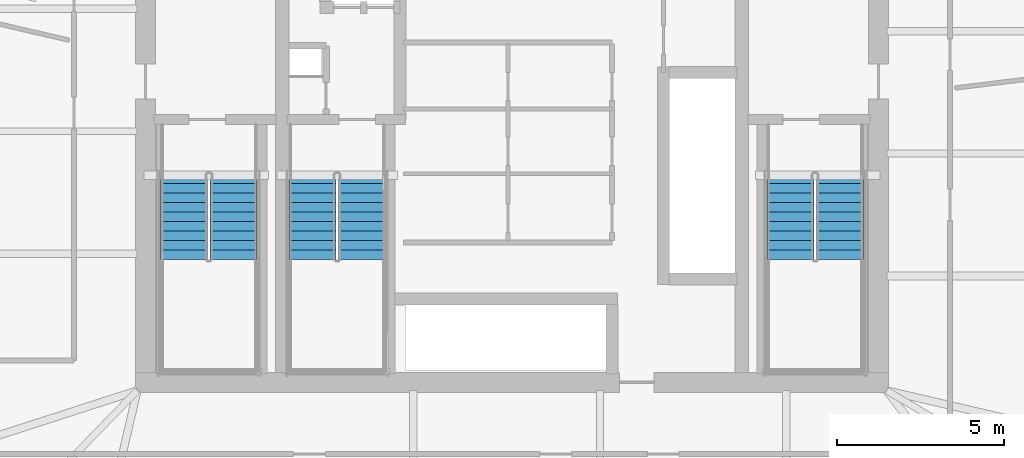
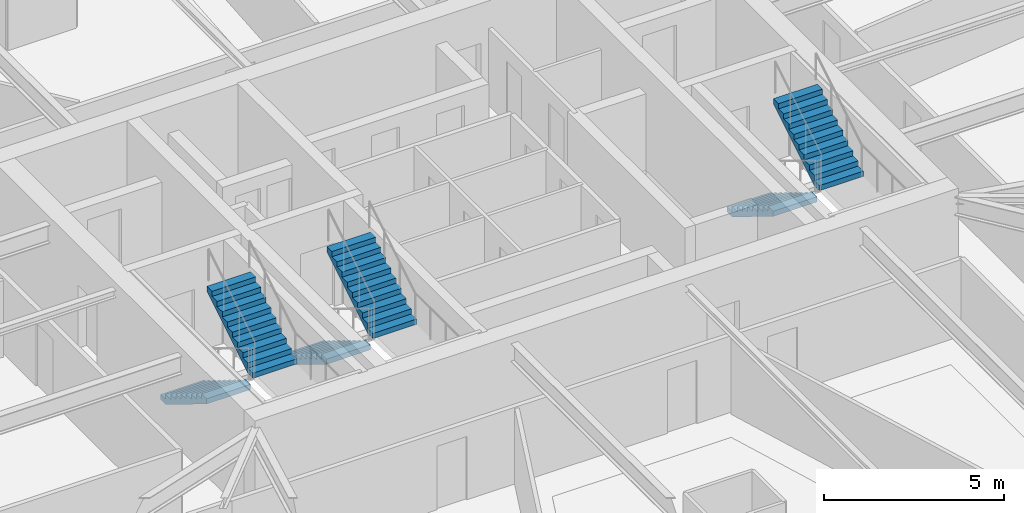
# One storey, part 19 of 23: 6 stair flights, 3 elements without a shape of their own.
"""IFC4 building model written with IfcOpenShell, lengths in metres."""

from ifc_helpers import new_model, si_unit, direction, frame, origin, place, context, subcontext, project, spatial, polyline, outline, extrude, material, type_object, element, aggregate, save


model = new_model("IFC4")

# Units and contexts
model_context = context("Model", 3, precision=1e-05, world=origin(), true_north=direction((0.0, 1.0)))
body_context = subcontext(model_context, "Body", "Model", "MODEL_VIEW")
ifc_project = project(units=[si_unit("LENGTHUNIT", "METRE"), si_unit("AREAUNIT", "SQUARE_METRE"), si_unit("VOLUMEUNIT", "CUBIC_METRE"), si_unit("PLANEANGLEUNIT", "RADIAN"), si_unit("MASSUNIT", "GRAM", prefix="KILO")], contexts=[model_context])

# Site, building, storey
site_placement = place(None, origin())
site = spatial("IfcSite", under=ifc_project, at=site_placement, CompositionType="ELEMENT")
building_placement = place(site_placement, origin())
building = spatial("IfcBuilding", under=site, at=building_placement, Name="Bramvorn Convention Spire", CompositionType="ELEMENT")
storey_placement = place(building_placement, frame((0.0, 0.0, 65.89990234375)))
storey = spatial("IfcBuildingStorey", under=building, at=storey_placement, Name="L14", CompositionType="ELEMENT", Elevation=65.89990234375)

# Stair, stair flights
ifc_material_1 = material(Name="Concrete C40/50 Precast Stair", Category="concrete")
stair_type = type_object("IfcStairType", Name="ST-TOWER-1550", PredefinedType="HALF_TURN_STAIR", material=ifc_material_1)
stair_1_placement = place(storey_placement, origin())
stair_1 = element("IfcStair", 1, at=stair_1_placement, inside=storey, type_object=stair_type, Name="L14 Protected Exit Stair ST1", PredefinedType="HALF_TURN_STAIR")
ifc_material_2 = material(Name="Concrete C40/50 Precast Stair Flight", Category="concrete")
stair_flight_type = type_object("IfcStairFlightType", Name="STF-TOWER-1550", PredefinedType="STRAIGHT", material=ifc_material_2)
stair_flight_1_placement = place(storey_placement, frame((28.155029296875, 25.050048828125, 0.0), z_axis=(0.0, 0.0, 1.0), x_axis=(0.0, -1.0, 0.0)))
stair_flight_1 = element("IfcStairFlight", 2, at=stair_flight_1_placement, type_object=stair_flight_type, Name="ST1 flight 1", NumberOfRisers=10, NumberOfTreads=9, PredefinedType="STRAIGHT", RiserHeight=0.175, TreadLength=0.285, context=body_context, shape_type="SweptSolid", body=[
    extrude(outline(polyline([(0.0, 0.0), (0.0, 0.175048828125), (0.284912109375, 0.175048828125), (0.284912109375, 0.35009765625), (0.570068359375, 0.35009765625), (0.570068359375, 0.52490234375), (0.85498046875, 0.52490234375), (0.85498046875, 0.699951171875), (1.139892578125, 0.699951171875), (1.139892578125, 0.875), (1.425048828125, 0.875), (1.425048828125, 1.050048828125), (1.7099609375, 1.050048828125), (1.7099609375, 1.22509765625), (1.9951171875, 1.22509765625), (1.9951171875, 1.39990234375), (2.280029296875, 1.39990234375), (2.280029296875, 1.574951171875), (2.56494140625, 1.574951171875), (2.56494140625, 1.75), (2.56494140625, 1.399169921875), (0.286376953125, 0.0), (0.0, 0.0)])), frame((0.0, 0.705078125, 0.0), z_axis=(0.0, -1.0, 0.0), x_axis=(1.0, 0.0, 0.0)), (0.0, 0.0, 1.0), 1.409912109375),
])
stair_flight_2_placement = place(storey_placement, frame((29.64501953125, 22.485107421875, 1.75), z_axis=(0.0, 0.0, 1.0), x_axis=(0.0, 1.0, 0.0)))
stair_flight_2 = element("IfcStairFlight", 3, at=stair_flight_2_placement, type_object=stair_flight_type, Name="ST1 flight 2", NumberOfRisers=10, NumberOfTreads=9, PredefinedType="STRAIGHT", RiserHeight=0.175, TreadLength=0.285, context=body_context, shape_type="SweptSolid", body=[
    extrude(outline(polyline([(0.0, 0.0), (0.0, 0.175048828125), (0.284912109375, 0.175048828125), (0.284912109375, 0.35009765625), (0.570068359375, 0.35009765625), (0.570068359375, 0.52490234375), (0.85498046875, 0.52490234375), (0.85498046875, 0.699951171875), (1.139892578125, 0.699951171875), (1.139892578125, 0.875), (1.425048828125, 0.875), (1.425048828125, 1.050048828125), (1.7099609375, 1.050048828125), (1.7099609375, 1.22509765625), (1.9951171875, 1.22509765625), (1.9951171875, 1.39990234375), (2.280029296875, 1.39990234375), (2.280029296875, 1.574951171875), (2.56494140625, 1.574951171875), (2.56494140625, 1.75), (2.56494140625, 1.399169921875), (0.286376953125, 0.0), (0.0, 0.0)])), frame((0.0, 0.705078125, 0.0), z_axis=(0.0, -1.0, 0.0), x_axis=(1.0, 0.0, 0.0)), (0.0, 0.0, 1.0), 1.409912109375),
])
aggregate(stair_1, [stair_flight_1, stair_flight_2])

stair_2_placement = place(storey_placement, origin())
stair_2 = element("IfcStair", 4, at=stair_2_placement, inside=storey, type_object=stair_type, Name="L14 Protected Exit Stair ST2", PredefinedType="HALF_TURN_STAIR")
stair_flight_3_placement = place(storey_placement, frame((46.35498046875, 25.050048828125, 0.0), z_axis=(0.0, 0.0, 1.0), x_axis=(0.0, -1.0, 0.0)))
stair_flight_3 = element("IfcStairFlight", 5, at=stair_flight_3_placement, type_object=stair_flight_type, Name="ST2 flight 1", NumberOfRisers=10, NumberOfTreads=9, PredefinedType="STRAIGHT", RiserHeight=0.175, TreadLength=0.285, context=body_context, shape_type="SweptSolid", body=[
    extrude(outline(polyline([(0.0, 0.0), (0.0, 0.175048828125), (0.284912109375, 0.175048828125), (0.284912109375, 0.35009765625), (0.570068359375, 0.35009765625), (0.570068359375, 0.52490234375), (0.85498046875, 0.52490234375), (0.85498046875, 0.699951171875), (1.139892578125, 0.699951171875), (1.139892578125, 0.875), (1.425048828125, 0.875), (1.425048828125, 1.050048828125), (1.7099609375, 1.050048828125), (1.7099609375, 1.22509765625), (1.9951171875, 1.22509765625), (1.9951171875, 1.39990234375), (2.280029296875, 1.39990234375), (2.280029296875, 1.574951171875), (2.56494140625, 1.574951171875), (2.56494140625, 1.75), (2.56494140625, 1.399169921875), (0.286376953125, 0.0), (0.0, 0.0)])), frame((0.0, 0.705078125, 0.0), z_axis=(0.0, -1.0, 0.0), x_axis=(1.0, 0.0, 0.0)), (0.0, 0.0, 1.0), 1.409912109375),
])
stair_flight_4_placement = place(storey_placement, frame((47.844970703125, 22.485107421875, 1.75), z_axis=(0.0, 0.0, 1.0), x_axis=(0.0, 1.0, 0.0)))
stair_flight_4 = element("IfcStairFlight", 6, at=stair_flight_4_placement, type_object=stair_flight_type, Name="ST2 flight 2", NumberOfRisers=10, NumberOfTreads=9, PredefinedType="STRAIGHT", RiserHeight=0.175, TreadLength=0.285, context=body_context, shape_type="SweptSolid", body=[
    extrude(outline(polyline([(0.0, 0.0), (0.0, 0.175048828125), (0.284912109375, 0.175048828125), (0.284912109375, 0.35009765625), (0.570068359375, 0.35009765625), (0.570068359375, 0.52490234375), (0.85498046875, 0.52490234375), (0.85498046875, 0.699951171875), (1.139892578125, 0.699951171875), (1.139892578125, 0.875), (1.425048828125, 0.875), (1.425048828125, 1.050048828125), (1.7099609375, 1.050048828125), (1.7099609375, 1.22509765625), (1.9951171875, 1.22509765625), (1.9951171875, 1.39990234375), (2.280029296875, 1.39990234375), (2.280029296875, 1.574951171875), (2.56494140625, 1.574951171875), (2.56494140625, 1.75), (2.56494140625, 1.399169921875), (0.286376953125, 0.0), (0.0, 0.0)])), frame((0.0, 0.705078125, 0.0), z_axis=(0.0, -1.0, 0.0), x_axis=(1.0, 0.0, 0.0)), (0.0, 0.0, 1.0), 1.409912109375),
])
aggregate(stair_2, [stair_flight_3, stair_flight_4])

stair_3_placement = place(storey_placement, origin())
stair_3 = element("IfcStair", 7, at=stair_3_placement, inside=storey, type_object=stair_type, Name="L14 Protected Exit Stair ST3", PredefinedType="HALF_TURN_STAIR")
stair_flight_5_placement = place(storey_placement, frame((32.0048828125, 25.050048828125, 0.0), z_axis=(0.0, 0.0, 1.0), x_axis=(0.0, -1.0, 0.0)))
stair_flight_5 = element("IfcStairFlight", 8, at=stair_flight_5_placement, type_object=stair_flight_type, Name="ST3 flight 1", NumberOfRisers=10, NumberOfTreads=9, PredefinedType="STRAIGHT", RiserHeight=0.175, TreadLength=0.285, context=body_context, shape_type="SweptSolid", body=[
    extrude(outline(polyline([(0.0, 0.0), (0.0, 0.175048828125), (0.284912109375, 0.175048828125), (0.284912109375, 0.35009765625), (0.570068359375, 0.35009765625), (0.570068359375, 0.52490234375), (0.85498046875, 0.52490234375), (0.85498046875, 0.699951171875), (1.139892578125, 0.699951171875), (1.139892578125, 0.875), (1.425048828125, 0.875), (1.425048828125, 1.050048828125), (1.7099609375, 1.050048828125), (1.7099609375, 1.22509765625), (1.9951171875, 1.22509765625), (1.9951171875, 1.39990234375), (2.280029296875, 1.39990234375), (2.280029296875, 1.574951171875), (2.56494140625, 1.574951171875), (2.56494140625, 1.75), (2.56494140625, 1.399169921875), (0.286376953125, 0.0), (0.0, 0.0)])), frame((0.0, 0.705078125, 0.0), z_axis=(0.0, -1.0, 0.0), x_axis=(1.0, 0.0, 0.0)), (0.0, 0.0, 1.0), 1.409912109375),
])
stair_flight_6_placement = place(storey_placement, frame((33.4951171875, 22.485107421875, 1.75), z_axis=(0.0, 0.0, 1.0), x_axis=(0.0, 1.0, 0.0)))
stair_flight_6 = element("IfcStairFlight", 9, at=stair_flight_6_placement, type_object=stair_flight_type, Name="ST3 flight 2", NumberOfRisers=10, NumberOfTreads=9, PredefinedType="STRAIGHT", RiserHeight=0.175, TreadLength=0.285, context=body_context, shape_type="SweptSolid", body=[
    extrude(outline(polyline([(0.0, 0.0), (0.0, 0.175048828125), (0.284912109375, 0.175048828125), (0.284912109375, 0.35009765625), (0.570068359375, 0.35009765625), (0.570068359375, 0.52490234375), (0.85498046875, 0.52490234375), (0.85498046875, 0.699951171875), (1.139892578125, 0.699951171875), (1.139892578125, 0.875), (1.425048828125, 0.875), (1.425048828125, 1.050048828125), (1.7099609375, 1.050048828125), (1.7099609375, 1.22509765625), (1.9951171875, 1.22509765625), (1.9951171875, 1.39990234375), (2.280029296875, 1.39990234375), (2.280029296875, 1.574951171875), (2.56494140625, 1.574951171875), (2.56494140625, 1.75), (2.56494140625, 1.399169921875), (0.286376953125, 0.0), (0.0, 0.0)])), frame((0.0, 0.705078125, 0.0), z_axis=(0.0, -1.0, 0.0), x_axis=(1.0, 0.0, 0.0)), (0.0, 0.0, 1.0), 1.409912109375),
])
aggregate(stair_3, [stair_flight_5, stair_flight_6])

save(model, "model.ifc")
